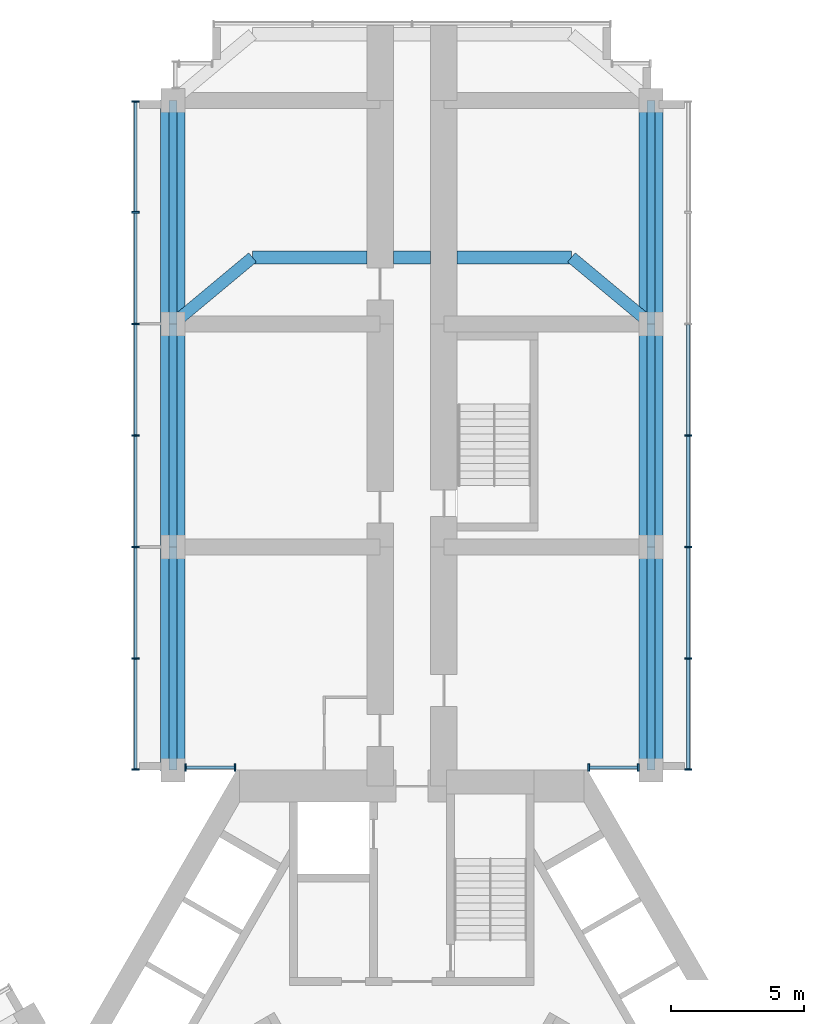
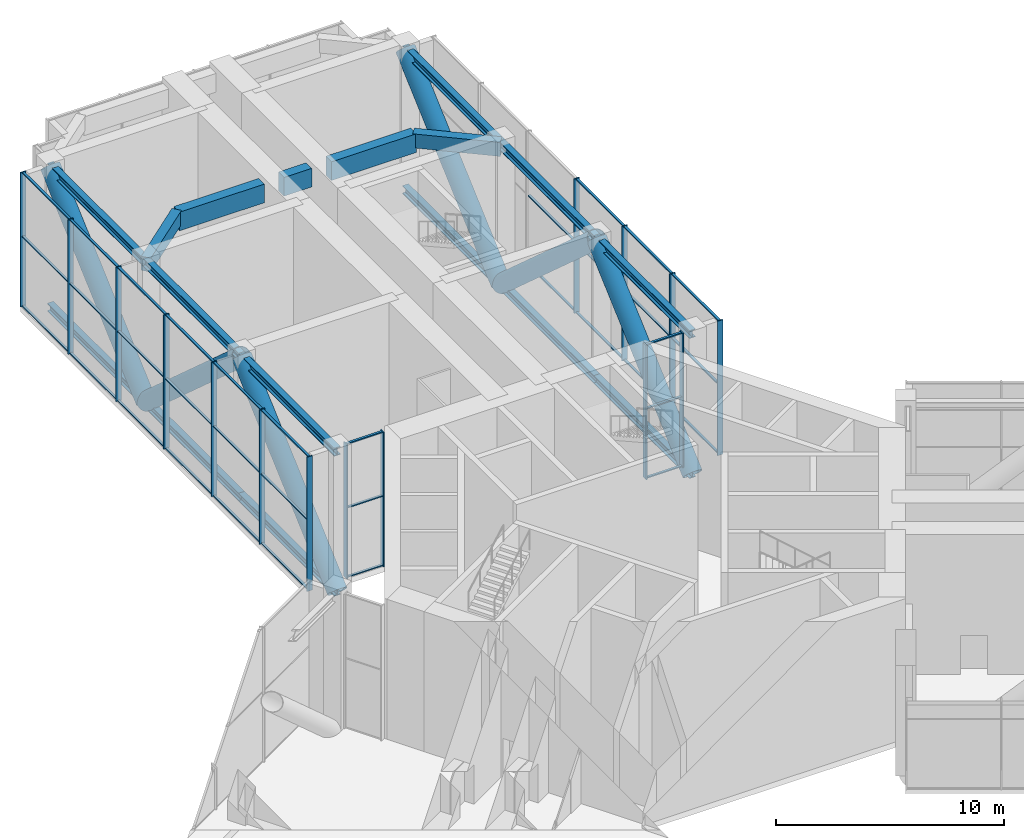
# One storey, part 5 of 16: 68 members, 5 beams, 4 elements without a shape of their own.
"""IFC4 building model written with IfcOpenShell, lengths in metres."""

import ifcopenshell
import ifcopenshell.guid

model = None  # the IFC model being written
_history = None  # IfcOwnerHistory: only IFC2X3 demands one
_inside = {}  # id of a spatial element -> (the spatial element, [elements in it])
_under = {}  # id of a project, library or spatial element -> (it, [spatial elements below it])
_declared = {}  # id of a project -> (the project, [libraries it declares])
_typed = {}  # id of a type object -> (the type object, [elements of that type])
_made_of = {}  # id of a material, layer set ... -> (it, [elements and type objects made of it])


def new_model(schema):
    """Start an empty IFC model of exactly this schema.

    Asked for "IFC4X3", IfcOpenShell would pick the latest addendum, in which some entities
    have other attributes; the version numbers below select the first issue.
    IFC2X3 requires an IfcOwnerHistory on every rooted entity: one is made here for all.
    """
    global model, _history
    if schema == "IFC4X3":
        model = ifcopenshell.file(schema_version=(4, 3, 0, 0))
    else:
        model = ifcopenshell.file(schema=schema)
    _inside.clear()
    _under.clear()
    _declared.clear()
    _typed.clear()
    _made_of.clear()
    _history = None
    if model.schema == "IFC2X3":
        org = make("IfcOrganization", Name="unknown")
        user = make(
            "IfcPersonAndOrganization",
            ThePerson=make("IfcPerson", FamilyName="unknown"),
            TheOrganization=org,
        )
        app = make(
            "IfcApplication",
            ApplicationDeveloper=org,
            Version="unknown",
            ApplicationFullName="unknown",
            ApplicationIdentifier="unknown",
        )
        _history = make(
            "IfcOwnerHistory",
            OwningUser=user,
            OwningApplication=app,
            ChangeAction="ADDED",
            CreationDate=0,
        )
    return model


def make(cls, **values):
    """One entity of the class cls with the attributes given. An attribute that is None is left unset."""
    return model.create_entity(
        cls, **{name: value for name, value in values.items() if value is not None}
    )


def rooted(cls, **values):
    """An entity with a GlobalId (a new one), such as an element, a storey or a relation."""
    return make(cls, GlobalId=ifcopenshell.guid.new(), OwnerHistory=_history, **values)


def si_unit(unit_type, name, prefix=None):
    """IfcSIUnit, for example si_unit("LENGTHUNIT", "METRE", prefix="MILLI")."""
    return make("IfcSIUnit", UnitType=unit_type, Prefix=prefix, Name=name)


def assignment(units):
    """IfcUnitAssignment: the units of a project."""
    return None if units is None else make("IfcUnitAssignment", Units=units)


def point(xyz):
    """IfcCartesianPoint."""
    return None if xyz is None else make("IfcCartesianPoint", Coordinates=xyz)


def direction(xyz):
    """IfcDirection."""
    return None if xyz is None else make("IfcDirection", DirectionRatios=xyz)


def frame(location, z_axis=None, x_axis=None):
    """IfcAxis2Placement3D, a coordinate frame: its origin and axes. An axis left out is left unset."""
    return make(
        "IfcAxis2Placement3D",
        Location=point(location),
        Axis=direction(z_axis),
        RefDirection=direction(x_axis),
    )


def frame_2d(location, x_axis=None):
    """IfcAxis2Placement2D, a coordinate frame in the plane: its origin and x axis."""
    return make(
        "IfcAxis2Placement2D", Location=point(location), RefDirection=direction(x_axis)
    )


def origin():
    """The frame at (0, 0, 0) with its axes left unset."""
    return frame((0.0, 0.0, 0.0))


def origin_2d():
    """The frame at (0, 0) in the plane with its x axis left unset."""
    return frame_2d((0.0, 0.0))


def place(relative_to, where):
    """IfcLocalPlacement: puts the frame where relative to a parent placement (None: the world)."""
    return make(
        "IfcLocalPlacement", PlacementRelTo=relative_to, RelativePlacement=where
    )


def context(
    kind, dimensions, precision=None, world=None, true_north=None, identifier=None
):
    """IfcGeometricRepresentationContext, for example the 3D "Model" context."""
    return make(
        "IfcGeometricRepresentationContext",
        ContextIdentifier=identifier,
        ContextType=kind,
        CoordinateSpaceDimension=dimensions,
        Precision=precision,
        WorldCoordinateSystem=world,
        TrueNorth=true_north,
    )


def subcontext(parent, identifier, kind, view, scale=None):
    """IfcGeometricRepresentationSubContext, for example "Body" below "Model"."""
    return make(
        "IfcGeometricRepresentationSubContext",
        ContextIdentifier=identifier,
        ContextType=kind,
        ParentContext=parent,
        TargetScale=scale,
        TargetView=view,
    )


def project(units=None, contexts=None):
    """IfcProject with its units and contexts."""
    return rooted(
        "IfcProject",
        Name="project",
        RepresentationContexts=contexts,
        UnitsInContext=assignment(units),
    )


def spatial(cls, under=None, at=None, **own):
    """A site, building, storey or space (cls), placed at a placement, below another one or the project."""
    s = rooted(cls, ObjectPlacement=at, **own)
    if under is not None:
        _under.setdefault(under.id(), (under, []))[1].append(s)
    return s


def profile(cls, at=None, kind="AREA", **sizes):
    """A parametric profile (cls). Its sizes go by their IFC names, for example OverallWidth=200.0."""
    return make(cls, ProfileType=kind, Position=at, **sizes)


def rectangle(**sizes):
    """IfcRectangleProfileDef."""
    return profile("IfcRectangleProfileDef", **sizes)


def hollow_circle(**sizes):
    """IfcCircleHollowProfileDef."""
    return profile("IfcCircleHollowProfileDef", **sizes)


def i_section(**sizes):
    """IfcIShapeProfileDef."""
    return profile("IfcIShapeProfileDef", **sizes)


def extrude(swept, where, along, depth):
    """IfcExtrudedAreaSolid: the profile swept, set in the frame where, extruded along a direction by depth."""
    return make(
        "IfcExtrudedAreaSolid",
        SweptArea=swept,
        Position=where,
        ExtrudedDirection=direction(along),
        Depth=depth,
    )


def shape(context_of_items, identifier, shape_type, items):
    """IfcShapeRepresentation: the items that make up one representation, for example the "Body"."""
    return make(
        "IfcShapeRepresentation",
        ContextOfItems=context_of_items,
        RepresentationIdentifier=identifier,
        RepresentationType=shape_type,
        Items=items,
    )


def material(Name=None, Category=None):
    """IfcMaterial."""
    return make("IfcMaterial", Name=Name, Category=Category)


def material_profile(
    of_material, cross_section, Name=None, Category=None, Priority=None
):
    """IfcMaterialProfile: a cross section and its material."""
    return make(
        "IfcMaterialProfile",
        Name=Name,
        Material=of_material,
        Profile=cross_section,
        Priority=Priority,
        Category=Category,
    )


def profile_set(profiles, Name=None, composite=None):
    """IfcMaterialProfileSet."""
    return make(
        "IfcMaterialProfileSet",
        Name=Name,
        MaterialProfiles=profiles,
        CompositeProfile=composite,
    )


def made_of(thing, what):
    """Note that an element or type object is made of a material, layer set ...; save() writes the relation."""
    if what is not None:
        _made_of.setdefault(what.id(), (what, []))[1].append(thing)
    return thing


def type_object(cls, material=None, **own):
    """A type object (cls), such as IfcWallType, which elements share."""
    return made_of(rooted(cls, **own), material)


def element(
    cls,
    number,
    at=None,
    inside=None,
    cuts=None,
    type_object=None,
    material=None,
    context=None,
    identifier="Body",
    shape_type=None,
    held_by="IfcProductDefinitionShape",
    body=None,
    shapes=None,
    **own,
):
    """One element of the class cls, such as IfcWall. Its Tag is "e" and its number.

    at: its placement. inside: the storey or other place that contains it. cuts: it is an
    opening in that element (IfcRelVoidsElement). A single representation is given by context,
    identifier, shape_type and body (its items); several are given by shapes. held_by: the class
    of the entity that holds the representations. save() writes the other relations.
    """
    e = rooted(cls, Tag="e%d" % number, ObjectPlacement=at, **own)
    if body is not None:
        shapes = [shape(context, identifier, shape_type, body)]
    if shapes is not None:
        e.Representation = make(held_by, Representations=shapes)
    if inside is not None:
        _inside.setdefault(inside.id(), (inside, []))[1].append(e)
    if cuts is not None:
        rooted(
            "IfcRelVoidsElement", RelatingBuildingElement=cuts, RelatedOpeningElement=e
        )
    if type_object is not None:
        _typed.setdefault(type_object.id(), (type_object, []))[1].append(e)
    return made_of(e, material)


def aggregate(whole, parts):
    """IfcRelAggregates: a whole, such as a stair, and the parts it consists of."""
    return rooted("IfcRelAggregates", RelatingObject=whole, RelatedObjects=parts)


def save(model, path):
    """Write the relations noted so far, then the file.

    IfcRelAggregates (storeys below a building ...), IfcRelContainedInSpatialStructure (elements
    in a storey), IfcRelDefinesByType, IfcRelAssociatesMaterial and IfcRelDeclares: one each for
    every whole, place, type object, material and project.
    """
    for whole, parts in _under.values():
        aggregate(whole, parts)
    for where, things in _inside.values():
        rooted(
            "IfcRelContainedInSpatialStructure",
            RelatedElements=things,
            RelatingStructure=where,
        )
    for kind, things in _typed.values():
        rooted("IfcRelDefinesByType", RelatedObjects=things, RelatingType=kind)
    for what, things in _made_of.values():
        rooted("IfcRelAssociatesMaterial", RelatedObjects=things, RelatingMaterial=what)
    for by, libraries in _declared.values():
        rooted("IfcRelDeclares", RelatingContext=by, RelatedDefinitions=libraries)
    model.write(path)


model = new_model("IFC4")

# Units and contexts
model_context = context("Model", 3, precision=1e-05, world=origin(), true_north=direction((0.0, 1.0)))
body_context = subcontext(model_context, "Body", "Model", "MODEL_VIEW")
ifc_project = project(units=[si_unit("LENGTHUNIT", "METRE"), si_unit("AREAUNIT", "SQUARE_METRE"), si_unit("VOLUMEUNIT", "CUBIC_METRE"), si_unit("PLANEANGLEUNIT", "RADIAN"), si_unit("MASSUNIT", "GRAM", prefix="KILO")], contexts=[model_context])

# Site, building, storey
site_placement = place(None, origin())
site = spatial("IfcSite", under=ifc_project, at=site_placement, CompositionType="ELEMENT")
building_placement = place(site_placement, origin())
building = spatial("IfcBuilding", under=site, at=building_placement, Name="Impinga Residences", CompositionType="ELEMENT")
storey_placement = place(building_placement, frame((0.0, 0.0, 181.0)))
storey = spatial("IfcBuildingStorey", under=building, at=storey_placement, Name="L45", CompositionType="ELEMENT", Elevation=181.0)

# Members
ifc_material_1 = material(Name="Steel S355", Category="steel")
ifc_material_profile_1 = material_profile(ifc_material_1, i_section(OverallWidth=0.306884765625, OverallDepth=0.431884765625, WebThickness=0.02099609375, FlangeThickness=0.0400390625, FilletRadius=0.027099609375, at=origin_2d()), Name="HE 400 M")
ifc_profile_set_1 = profile_set([ifc_material_profile_1], Name="Steel S355")
member_type_1 = type_object("IfcMemberType", Name="BT1 HE 400 M belt truss chord", PredefinedType="CHORD", material=ifc_profile_set_1)
for number, where, z_axis, x_axis, name in (
    (1, (-9.0, 11.431640625, -0.51611328125), (0.0, 1.0, 0.0), (-1.0, 0.0, 0.0), "Belt truss chord BT1 NA N1-N2 L45"),
    (2, (-9.0, 11.431640625, 6.98388671875), (0.0, 1.0, 0.0), (-1.0, 0.0, 0.0), "Belt truss chord BT1 NA N1-N2 L45"),
    (3, (-9.0, 19.83154296875, -0.51611328125), (0.0, 1.0, 0.0), (-1.0, 0.0, 0.0), "Belt truss chord BT1 NA N2-N3 L45"),
    (4, (-9.0, 19.83154296875, 6.98388671875), (0.0, 1.0, 0.0), (-1.0, 0.0, 0.0), "Belt truss chord BT1 NA N2-N3 L45"),
):
    element("IfcMember", number, at=place(storey_placement, frame(where, z_axis=z_axis, x_axis=x_axis)), inside=storey, type_object=member_type_1, Name=name, PredefinedType="CHORD", context=body_context, shape_type="SweptSolid", body=[
        extrude(i_section(OverallWidth=0.306884765625, OverallDepth=0.431884765625, WebThickness=0.02099609375, FlangeThickness=0.0400390625, FilletRadius=0.027099609375, at=origin_2d()), origin(), (0.0, 0.0, 1.0), 8.39990234375),
    ])
for number, where, z_axis, x_axis, name in (
    (5, (-9.0, 28.2314453125, -0.51611328125), (0.0, 1.0, 0.0), (-1.0, 0.0, 0.0), "Belt truss chord BT1 NA N3-N4 L45"),
    (6, (-9.0, 28.2314453125, 6.98388671875), (0.0, 1.0, 0.0), (-1.0, 0.0, 0.0), "Belt truss chord BT1 NA N3-N4 L45"),
):
    element("IfcMember", number, at=place(storey_placement, frame(where, z_axis=z_axis, x_axis=x_axis)), inside=storey, type_object=member_type_1, Name=name, PredefinedType="CHORD", context=body_context, shape_type="SweptSolid", body=[
        extrude(i_section(OverallWidth=0.306884765625, OverallDepth=0.431884765625, WebThickness=0.02099609375, FlangeThickness=0.0400390625, FilletRadius=0.027099609375, at=origin_2d()), origin(), (0.0, 0.0, 1.0), 8.400146484375),
    ])
for number, where, z_axis, x_axis, name in (
    (7, (9.0, 11.431640625, -0.51611328125), (0.0, 1.0, 0.0), (-1.0, 0.0, 0.0), "Belt truss chord BT1 NF N1-N2 L45"),
    (8, (9.0, 11.431640625, 6.98388671875), (0.0, 1.0, 0.0), (-1.0, 0.0, 0.0), "Belt truss chord BT1 NF N1-N2 L45"),
    (9, (9.0, 19.83154296875, -0.51611328125), (0.0, 1.0, 0.0), (-1.0, 0.0, 0.0), "Belt truss chord BT1 NF N2-N3 L45"),
    (10, (9.0, 19.83154296875, 6.98388671875), (0.0, 1.0, 0.0), (-1.0, 0.0, 0.0), "Belt truss chord BT1 NF N2-N3 L45"),
):
    element("IfcMember", number, at=place(storey_placement, frame(where, z_axis=z_axis, x_axis=x_axis)), inside=storey, type_object=member_type_1, Name=name, PredefinedType="CHORD", context=body_context, shape_type="SweptSolid", body=[
        extrude(i_section(OverallWidth=0.306884765625, OverallDepth=0.431884765625, WebThickness=0.02099609375, FlangeThickness=0.0400390625, FilletRadius=0.027099609375, at=origin_2d()), origin(), (0.0, 0.0, 1.0), 8.39990234375),
    ])
for number, where, z_axis, x_axis, name in (
    (11, (9.0, 28.2314453125, -0.51611328125), (0.0, 1.0, 0.0), (-1.0, 0.0, 0.0), "Belt truss chord BT1 NF N3-N4 L45"),
    (12, (9.0, 28.2314453125, 6.98388671875), (0.0, 1.0, 0.0), (-1.0, 0.0, 0.0), "Belt truss chord BT1 NF N3-N4 L45"),
):
    element("IfcMember", number, at=place(storey_placement, frame(where, z_axis=z_axis, x_axis=x_axis)), inside=storey, type_object=member_type_1, Name=name, PredefinedType="CHORD", context=body_context, shape_type="SweptSolid", body=[
        extrude(i_section(OverallWidth=0.306884765625, OverallDepth=0.431884765625, WebThickness=0.02099609375, FlangeThickness=0.0400390625, FilletRadius=0.027099609375, at=origin_2d()), origin(), (0.0, 0.0, 1.0), 8.400146484375),
    ])
ifc_material_2 = material(Name="Steel S355J2H", Category="steel")
ifc_material_profile_2 = material_profile(ifc_material_2, hollow_circle(Radius=0.457275390625, WallThickness=0.02490234375, at=origin_2d()), Name="CHS 914.4x25")
ifc_profile_set_2 = profile_set([ifc_material_profile_2], Name="Steel S355J2H")
member_type_2 = type_object("IfcMemberType", Name="BT3 CHS 914.4x25 belt truss diagonal at L45", PredefinedType="BRACE", material=ifc_profile_set_2)
for number, where, z_axis, x_axis, name in (
    (13, (-9.0, 11.431640625, -0.51611328125), (0.0, 0.745933814853, 0.666020077669), (-1.0, 0.0, 0.0), "Belt truss diagonal BT3 NA N1-N2 L45"),
    (14, (-9.0, 19.83154296875, 6.98388671875), (0.0, 0.745933814853, -0.666020077669), (-1.0, 0.0, 0.0), "Belt truss diagonal BT3 NA N2-N3 L45"),
    (15, (-9.0, 28.2314453125, -0.51611328125), (0.0, 0.745943431645, 0.666009306831), (-1.0, 0.0, 0.0), "Belt truss diagonal BT3 NA N3-N4 L45"),
    (16, (9.0, 11.431640625, -0.51611328125), (0.0, 0.745933814853, 0.666020077669), (-1.0, 0.0, 0.0), "Belt truss diagonal BT3 NF N1-N2 L45"),
    (17, (9.0, 19.83154296875, 6.98388671875), (0.0, 0.745933814853, -0.666020077669), (-1.0, 0.0, 0.0), "Belt truss diagonal BT3 NF N2-N3 L45"),
    (18, (9.0, 28.2314453125, -0.51611328125), (0.0, 0.745943431645, 0.666009306831), (-1.0, 0.0, 0.0), "Belt truss diagonal BT3 NF N3-N4 L45"),
):
    element("IfcMember", number, at=place(storey_placement, frame(where, z_axis=z_axis, x_axis=x_axis)), inside=storey, type_object=member_type_2, Name=name, PredefinedType="BRACE", context=body_context, shape_type="SweptSolid", body=[
        extrude(hollow_circle(Radius=0.457275390625, WallThickness=0.02490234375, at=origin_2d()), origin(), (0.0, 0.0, 1.0), 11.260986328125),
    ])

# Beams
ifc_material_3 = material(Name="Concrete C60/75", Category="concrete")
ifc_material_profile_3 = material_profile(ifc_material_3, rectangle(XDim=0.449951171875, YDim=0.75, at=origin_2d()), Name="RC 450x750")
ifc_profile_set_3 = profile_set([ifc_material_profile_3], Name="Concrete C60/75")
beam_type_1 = type_object("IfcBeamType", Name="CB1 450x750 wing end cantilever beam", PredefinedType="BEAM", material=ifc_profile_set_3)
for number, where, z_axis, x_axis, name in (
    (19, (-9.0, 28.2314453125, 6.824951171875), (0.768221279597, 0.640184399664, 0.0), (-0.640184399664, 0.768221279597, 0.0), "Beam CB1 NB N3-NX level L46"),
    (20, (9.0, 28.2314453125, 6.824951171875), (-0.768221279597, 0.640184399664, 0.0), (-0.640184399664, -0.768221279597, 0.0), "Beam CB1 NE N3-NX level L46"),
):
    element("IfcBeam", number, at=place(storey_placement, frame(where, z_axis=z_axis, x_axis=x_axis)), inside=storey, type_object=beam_type_1, Name=name, PredefinedType="BEAM", context=body_context, shape_type="SweptSolid", body=[
        extrude(rectangle(XDim=0.449951171875, YDim=0.75, at=origin_2d()), origin(), (0.0, 0.0, 1.0), 3.905029296875),
    ])

# Curtain wall, members
ifc_material_4 = material(Name="Aluminium stick curtain wall", Category="aluminium")
curtain_wall_type = type_object("IfcCurtainWallType", Name="CW4 plant floor louvred curtain wall", PredefinedType="USERDEFINED", material=ifc_material_4)
curtain_wall_1_placement = place(storey_placement, origin())
curtain_wall_1 = element("IfcCurtainWall", 21, at=curtain_wall_1_placement, inside=storey, type_object=curtain_wall_type, Name="Curtain wall CW4 L45", ObjectType="STICK CURTAIN WALL", PredefinedType="USERDEFINED")
ifc_material_5 = material(Name="Aluminium mullion", Category="aluminium")
ifc_material_profile_4 = material_profile(ifc_material_5, rectangle(XDim=0.06005859375, YDim=0.27490234375, at=origin_2d()), Name="60x275 mullion")
ifc_profile_set_4 = profile_set([ifc_material_profile_4], Name="Aluminium mullion")
member_type_3 = type_object("IfcMemberType", Name="CW4-M mullion 60x275", PredefinedType="MULLION", material=ifc_profile_set_4)
member_1_placement = place(storey_placement, frame((-6.6552734375, 11.531494140625, 0.0), z_axis=(0.0, 0.0, 1.0), x_axis=(-1.0, 0.0, 0.0)))
member_1 = element("IfcMember", 22, at=member_1_placement, type_object=member_type_3, Name="CW4 mullion 1", PredefinedType="MULLION", context=body_context, shape_type="SweptSolid", body=[
    extrude(rectangle(XDim=0.06005859375, YDim=0.27490234375, at=origin_2d()), origin(), (0.0, 0.0, 1.0), 7.199951171875),
])
member_2_placement = place(storey_placement, frame((-8.51708984375, 11.531494140625, 0.0), z_axis=(0.0, 0.0, 1.0), x_axis=(-1.0, 0.0, 0.0)))
member_2 = element("IfcMember", 23, at=member_2_placement, type_object=member_type_3, Name="CW4 mullion 2", PredefinedType="MULLION", context=body_context, shape_type="SweptSolid", body=[
    extrude(rectangle(XDim=0.06005859375, YDim=0.27490234375, at=origin_2d()), origin(), (0.0, 0.0, 1.0), 7.199951171875),
])

curtain_wall_2_placement = place(storey_placement, origin())
curtain_wall_2 = element("IfcCurtainWall", 24, at=curtain_wall_2_placement, inside=storey, type_object=curtain_wall_type, Name="Curtain wall CW4 L45", ObjectType="STICK CURTAIN WALL", PredefinedType="USERDEFINED")
member_3_placement = place(storey_placement, frame((-10.39990234375, 11.46142578125, 0.0), z_axis=(0.0, 0.0, 1.0), x_axis=(0.0, 1.0, 0.0)))
member_3 = element("IfcMember", 25, at=member_3_placement, type_object=member_type_3, Name="CW4 mullion 1", PredefinedType="MULLION", context=body_context, shape_type="SweptSolid", body=[
    extrude(rectangle(XDim=0.06005859375, YDim=0.27490234375, at=origin_2d()), origin(), (0.0, 0.0, 1.0), 7.199951171875),
])
member_4_placement = place(storey_placement, frame((-10.39990234375, 15.631591796875, 0.0), z_axis=(0.0, 0.0, 1.0), x_axis=(0.0, 1.0, 0.0)))
member_4 = element("IfcMember", 26, at=member_4_placement, type_object=member_type_3, Name="CW4 mullion 2", PredefinedType="MULLION", context=body_context, shape_type="SweptSolid", body=[
    extrude(rectangle(XDim=0.06005859375, YDim=0.27490234375, at=origin_2d()), origin(), (0.0, 0.0, 1.0), 7.199951171875),
])
member_5_placement = place(storey_placement, frame((-10.39990234375, 19.83154296875, 0.0), z_axis=(0.0, 0.0, 1.0), x_axis=(0.0, 1.0, 0.0)))
member_5 = element("IfcMember", 27, at=member_5_placement, type_object=member_type_3, Name="CW4 mullion 3", PredefinedType="MULLION", context=body_context, shape_type="SweptSolid", body=[
    extrude(rectangle(XDim=0.06005859375, YDim=0.27490234375, at=origin_2d()), origin(), (0.0, 0.0, 1.0), 7.199951171875),
])
member_6_placement = place(storey_placement, frame((-10.39990234375, 24.031494140625, 0.0), z_axis=(0.0, 0.0, 1.0), x_axis=(0.0, 1.0, 0.0)))
member_6 = element("IfcMember", 28, at=member_6_placement, type_object=member_type_3, Name="CW4 mullion 4", PredefinedType="MULLION", context=body_context, shape_type="SweptSolid", body=[
    extrude(rectangle(XDim=0.06005859375, YDim=0.27490234375, at=origin_2d()), origin(), (0.0, 0.0, 1.0), 7.199951171875),
])
member_7_placement = place(storey_placement, frame((-10.39990234375, 28.2314453125, 0.0), z_axis=(0.0, 0.0, 1.0), x_axis=(0.0, 1.0, 0.0)))
member_7 = element("IfcMember", 29, at=member_7_placement, type_object=member_type_3, Name="CW4 mullion 5", PredefinedType="MULLION", context=body_context, shape_type="SweptSolid", body=[
    extrude(rectangle(XDim=0.06005859375, YDim=0.27490234375, at=origin_2d()), origin(), (0.0, 0.0, 1.0), 7.199951171875),
])
member_8_placement = place(storey_placement, frame((-10.39990234375, 32.431640625, 0.0), z_axis=(0.0, 0.0, 1.0), x_axis=(0.0, 1.0, 0.0)))
member_8 = element("IfcMember", 30, at=member_8_placement, type_object=member_type_3, Name="CW4 mullion 6", PredefinedType="MULLION", context=body_context, shape_type="SweptSolid", body=[
    extrude(rectangle(XDim=0.06005859375, YDim=0.27490234375, at=origin_2d()), origin(), (0.0, 0.0, 1.0), 7.199951171875),
])
member_9_placement = place(storey_placement, frame((-10.39990234375, 36.6015625, 0.0), z_axis=(0.0, 0.0, 1.0), x_axis=(0.0, 1.0, 0.0)))
member_9 = element("IfcMember", 31, at=member_9_placement, type_object=member_type_3, Name="CW4 mullion 7", PredefinedType="MULLION", context=body_context, shape_type="SweptSolid", body=[
    extrude(rectangle(XDim=0.06005859375, YDim=0.27490234375, at=origin_2d()), origin(), (0.0, 0.0, 1.0), 7.199951171875),
])

curtain_wall_3_placement = place(storey_placement, origin())
curtain_wall_3 = element("IfcCurtainWall", 32, at=curtain_wall_3_placement, inside=storey, type_object=curtain_wall_type, Name="Curtain wall CW4 L45", ObjectType="STICK CURTAIN WALL", PredefinedType="USERDEFINED")
member_10_placement = place(storey_placement, frame((10.39990234375, 24.031494140625, 0.0), z_axis=(0.0, 0.0, 1.0), x_axis=(0.0, -1.0, 0.0)))
member_10 = element("IfcMember", 33, at=member_10_placement, type_object=member_type_3, Name="CW4 mullion 4", PredefinedType="MULLION", context=body_context, shape_type="SweptSolid", body=[
    extrude(rectangle(XDim=0.06005859375, YDim=0.27490234375, at=origin_2d()), origin(), (0.0, 0.0, 1.0), 7.199951171875),
])
member_11_placement = place(storey_placement, frame((10.39990234375, 19.83154296875, 0.0), z_axis=(0.0, 0.0, 1.0), x_axis=(0.0, -1.0, 0.0)))
member_11 = element("IfcMember", 34, at=member_11_placement, type_object=member_type_3, Name="CW4 mullion 5", PredefinedType="MULLION", context=body_context, shape_type="SweptSolid", body=[
    extrude(rectangle(XDim=0.06005859375, YDim=0.27490234375, at=origin_2d()), origin(), (0.0, 0.0, 1.0), 7.199951171875),
])
member_12_placement = place(storey_placement, frame((10.39990234375, 15.631591796875, 0.0), z_axis=(0.0, 0.0, 1.0), x_axis=(0.0, -1.0, 0.0)))
member_12 = element("IfcMember", 35, at=member_12_placement, type_object=member_type_3, Name="CW4 mullion 6", PredefinedType="MULLION", context=body_context, shape_type="SweptSolid", body=[
    extrude(rectangle(XDim=0.06005859375, YDim=0.27490234375, at=origin_2d()), origin(), (0.0, 0.0, 1.0), 7.199951171875),
])
member_13_placement = place(storey_placement, frame((10.39990234375, 11.46142578125, 0.0), z_axis=(0.0, 0.0, 1.0), x_axis=(0.0, -1.0, 0.0)))
member_13 = element("IfcMember", 36, at=member_13_placement, type_object=member_type_3, Name="CW4 mullion 7", PredefinedType="MULLION", context=body_context, shape_type="SweptSolid", body=[
    extrude(rectangle(XDim=0.06005859375, YDim=0.27490234375, at=origin_2d()), origin(), (0.0, 0.0, 1.0), 7.199951171875),
])

curtain_wall_4_placement = place(storey_placement, origin())
curtain_wall_4 = element("IfcCurtainWall", 37, at=curtain_wall_4_placement, inside=storey, type_object=curtain_wall_type, Name="Curtain wall CW4 L45", ObjectType="STICK CURTAIN WALL", PredefinedType="USERDEFINED")
member_14_placement = place(storey_placement, frame((8.51708984375, 11.531494140625, 0.0), z_axis=(0.0, 0.0, 1.0), x_axis=(-1.0, 0.0, 0.0)))
member_14 = element("IfcMember", 38, at=member_14_placement, type_object=member_type_3, Name="CW4 mullion 1", PredefinedType="MULLION", context=body_context, shape_type="SweptSolid", body=[
    extrude(rectangle(XDim=0.06005859375, YDim=0.27490234375, at=origin_2d()), origin(), (0.0, 0.0, 1.0), 7.199951171875),
])
member_15_placement = place(storey_placement, frame((6.6552734375, 11.531494140625, 0.0), z_axis=(0.0, 0.0, 1.0), x_axis=(-1.0, 0.0, 0.0)))
member_15 = element("IfcMember", 39, at=member_15_placement, type_object=member_type_3, Name="CW4 mullion 2", PredefinedType="MULLION", context=body_context, shape_type="SweptSolid", body=[
    extrude(rectangle(XDim=0.06005859375, YDim=0.27490234375, at=origin_2d()), origin(), (0.0, 0.0, 1.0), 7.199951171875),
])

# Member
ifc_material_6 = material(Name="Aluminium transom", Category="aluminium")
ifc_material_profile_5 = material_profile(ifc_material_6, rectangle(XDim=0.06005859375, YDim=0.1201171875, at=origin_2d()), Name="60x120 transom")
ifc_profile_set_5 = profile_set([ifc_material_profile_5], Name="Aluminium transom")
member_type_4 = type_object("IfcMemberType", Name="CW4-T transom 60x120", PredefinedType="USERDEFINED", material=ifc_profile_set_5)
member_16_placement = place(storey_placement, frame((-6.685302734375, 11.531494140625, 0.030029296875), z_axis=(-1.0, 0.0, 0.0), x_axis=(0.0, 0.0, 1.0)))
member_16 = element("IfcMember", 40, at=member_16_placement, type_object=member_type_4, Name="CW4 transom 1.1", ObjectType="TRANSOM", PredefinedType="USERDEFINED", context=body_context, shape_type="SweptSolid", body=[
    extrude(rectangle(XDim=0.06005859375, YDim=0.1201171875, at=origin_2d()), origin(), (0.0, 0.0, 1.0), 1.8017578125),
])

member_17_placement = place(storey_placement, frame((-6.685302734375, 11.531494140625, 3.75), z_axis=(-1.0, 0.0, 0.0), x_axis=(0.0, 0.0, 1.0)))
member_17 = element("IfcMember", 41, at=member_17_placement, type_object=member_type_4, Name="CW4 transom 1.2", ObjectType="TRANSOM", PredefinedType="USERDEFINED", context=body_context, shape_type="SweptSolid", body=[
    extrude(rectangle(XDim=0.06005859375, YDim=0.1201171875, at=origin_2d()), origin(), (0.0, 0.0, 1.0), 1.8017578125),
])

member_18_placement = place(storey_placement, frame((-6.685302734375, 11.531494140625, 7.169921875), z_axis=(-1.0, 0.0, 0.0), x_axis=(0.0, 0.0, 1.0)))
member_18 = element("IfcMember", 42, at=member_18_placement, type_object=member_type_4, Name="CW4 transom 1.3", ObjectType="TRANSOM", PredefinedType="USERDEFINED", context=body_context, shape_type="SweptSolid", body=[
    extrude(rectangle(XDim=0.06005859375, YDim=0.1201171875, at=origin_2d()), origin(), (0.0, 0.0, 1.0), 1.8017578125),
])

aggregate(curtain_wall_1, [member_1, member_2, member_16, member_17, member_18])

member_19_placement = place(storey_placement, frame((-10.39990234375, 11.491455078125, 0.030029296875), z_axis=(0.0, 1.0, 0.0), x_axis=(0.0, 0.0, 1.0)))
member_19 = element("IfcMember", 43, at=member_19_placement, type_object=member_type_4, Name="CW4 transom 1.1", ObjectType="TRANSOM", PredefinedType="USERDEFINED", context=body_context, shape_type="SweptSolid", body=[
    extrude(rectangle(XDim=0.06005859375, YDim=0.1201171875, at=origin_2d()), origin(), (0.0, 0.0, 1.0), 4.110107421875),
])

member_20_placement = place(storey_placement, frame((-10.39990234375, 11.491455078125, 3.75), z_axis=(0.0, 1.0, 0.0), x_axis=(0.0, 0.0, 1.0)))
member_20 = element("IfcMember", 44, at=member_20_placement, type_object=member_type_4, Name="CW4 transom 1.2", ObjectType="TRANSOM", PredefinedType="USERDEFINED", context=body_context, shape_type="SweptSolid", body=[
    extrude(rectangle(XDim=0.06005859375, YDim=0.1201171875, at=origin_2d()), origin(), (0.0, 0.0, 1.0), 4.110107421875),
])

member_21_placement = place(storey_placement, frame((-10.39990234375, 11.491455078125, 7.169921875), z_axis=(0.0, 1.0, 0.0), x_axis=(0.0, 0.0, 1.0)))
member_21 = element("IfcMember", 45, at=member_21_placement, type_object=member_type_4, Name="CW4 transom 1.3", ObjectType="TRANSOM", PredefinedType="USERDEFINED", context=body_context, shape_type="SweptSolid", body=[
    extrude(rectangle(XDim=0.06005859375, YDim=0.1201171875, at=origin_2d()), origin(), (0.0, 0.0, 1.0), 4.110107421875),
])

member_22_placement = place(storey_placement, frame((-10.39990234375, 15.66162109375, 0.030029296875), z_axis=(0.0, 1.0, 0.0), x_axis=(0.0, 0.0, 1.0)))
member_22 = element("IfcMember", 46, at=member_22_placement, type_object=member_type_4, Name="CW4 transom 2.1", ObjectType="TRANSOM", PredefinedType="USERDEFINED", context=body_context, shape_type="SweptSolid", body=[
    extrude(rectangle(XDim=0.06005859375, YDim=0.1201171875, at=origin_2d()), origin(), (0.0, 0.0, 1.0), 4.139892578125),
])

member_23_placement = place(storey_placement, frame((-10.39990234375, 15.66162109375, 3.75), z_axis=(0.0, 1.0, 0.0), x_axis=(0.0, 0.0, 1.0)))
member_23 = element("IfcMember", 47, at=member_23_placement, type_object=member_type_4, Name="CW4 transom 2.2", ObjectType="TRANSOM", PredefinedType="USERDEFINED", context=body_context, shape_type="SweptSolid", body=[
    extrude(rectangle(XDim=0.06005859375, YDim=0.1201171875, at=origin_2d()), origin(), (0.0, 0.0, 1.0), 4.139892578125),
])

member_24_placement = place(storey_placement, frame((-10.39990234375, 15.66162109375, 7.169921875), z_axis=(0.0, 1.0, 0.0), x_axis=(0.0, 0.0, 1.0)))
member_24 = element("IfcMember", 48, at=member_24_placement, type_object=member_type_4, Name="CW4 transom 2.3", ObjectType="TRANSOM", PredefinedType="USERDEFINED", context=body_context, shape_type="SweptSolid", body=[
    extrude(rectangle(XDim=0.06005859375, YDim=0.1201171875, at=origin_2d()), origin(), (0.0, 0.0, 1.0), 4.139892578125),
])

member_25_placement = place(storey_placement, frame((-10.39990234375, 19.861572265625, 0.030029296875), z_axis=(0.0, 1.0, 0.0), x_axis=(0.0, 0.0, 1.0)))
member_25 = element("IfcMember", 49, at=member_25_placement, type_object=member_type_4, Name="CW4 transom 3.1", ObjectType="TRANSOM", PredefinedType="USERDEFINED", context=body_context, shape_type="SweptSolid", body=[
    extrude(rectangle(XDim=0.06005859375, YDim=0.1201171875, at=origin_2d()), origin(), (0.0, 0.0, 1.0), 4.139892578125),
])

member_26_placement = place(storey_placement, frame((-10.39990234375, 19.861572265625, 3.75), z_axis=(0.0, 1.0, 0.0), x_axis=(0.0, 0.0, 1.0)))
member_26 = element("IfcMember", 50, at=member_26_placement, type_object=member_type_4, Name="CW4 transom 3.2", ObjectType="TRANSOM", PredefinedType="USERDEFINED", context=body_context, shape_type="SweptSolid", body=[
    extrude(rectangle(XDim=0.06005859375, YDim=0.1201171875, at=origin_2d()), origin(), (0.0, 0.0, 1.0), 4.139892578125),
])

member_27_placement = place(storey_placement, frame((-10.39990234375, 19.861572265625, 7.169921875), z_axis=(0.0, 1.0, 0.0), x_axis=(0.0, 0.0, 1.0)))
member_27 = element("IfcMember", 51, at=member_27_placement, type_object=member_type_4, Name="CW4 transom 3.3", ObjectType="TRANSOM", PredefinedType="USERDEFINED", context=body_context, shape_type="SweptSolid", body=[
    extrude(rectangle(XDim=0.06005859375, YDim=0.1201171875, at=origin_2d()), origin(), (0.0, 0.0, 1.0), 4.139892578125),
])

member_28_placement = place(storey_placement, frame((-10.39990234375, 24.0615234375, 0.030029296875), z_axis=(0.0, 1.0, 0.0), x_axis=(0.0, 0.0, 1.0)))
member_28 = element("IfcMember", 52, at=member_28_placement, type_object=member_type_4, Name="CW4 transom 4.1", ObjectType="TRANSOM", PredefinedType="USERDEFINED", context=body_context, shape_type="SweptSolid", body=[
    extrude(rectangle(XDim=0.06005859375, YDim=0.1201171875, at=origin_2d()), origin(), (0.0, 0.0, 1.0), 4.139892578125),
])

member_29_placement = place(storey_placement, frame((-10.39990234375, 24.0615234375, 3.75), z_axis=(0.0, 1.0, 0.0), x_axis=(0.0, 0.0, 1.0)))
member_29 = element("IfcMember", 53, at=member_29_placement, type_object=member_type_4, Name="CW4 transom 4.2", ObjectType="TRANSOM", PredefinedType="USERDEFINED", context=body_context, shape_type="SweptSolid", body=[
    extrude(rectangle(XDim=0.06005859375, YDim=0.1201171875, at=origin_2d()), origin(), (0.0, 0.0, 1.0), 4.139892578125),
])

member_30_placement = place(storey_placement, frame((-10.39990234375, 24.0615234375, 7.169921875), z_axis=(0.0, 1.0, 0.0), x_axis=(0.0, 0.0, 1.0)))
member_30 = element("IfcMember", 54, at=member_30_placement, type_object=member_type_4, Name="CW4 transom 4.3", ObjectType="TRANSOM", PredefinedType="USERDEFINED", context=body_context, shape_type="SweptSolid", body=[
    extrude(rectangle(XDim=0.06005859375, YDim=0.1201171875, at=origin_2d()), origin(), (0.0, 0.0, 1.0), 4.139892578125),
])

member_31_placement = place(storey_placement, frame((-10.39990234375, 28.261474609375, 0.030029296875), z_axis=(0.0, 1.0, 0.0), x_axis=(0.0, 0.0, 1.0)))
member_31 = element("IfcMember", 55, at=member_31_placement, type_object=member_type_4, Name="CW4 transom 5.1", ObjectType="TRANSOM", PredefinedType="USERDEFINED", context=body_context, shape_type="SweptSolid", body=[
    extrude(rectangle(XDim=0.06005859375, YDim=0.1201171875, at=origin_2d()), origin(), (0.0, 0.0, 1.0), 4.14013671875),
])

member_32_placement = place(storey_placement, frame((-10.39990234375, 28.261474609375, 3.75), z_axis=(0.0, 1.0, 0.0), x_axis=(0.0, 0.0, 1.0)))
member_32 = element("IfcMember", 56, at=member_32_placement, type_object=member_type_4, Name="CW4 transom 5.2", ObjectType="TRANSOM", PredefinedType="USERDEFINED", context=body_context, shape_type="SweptSolid", body=[
    extrude(rectangle(XDim=0.06005859375, YDim=0.1201171875, at=origin_2d()), origin(), (0.0, 0.0, 1.0), 4.14013671875),
])

member_33_placement = place(storey_placement, frame((-10.39990234375, 28.261474609375, 7.169921875), z_axis=(0.0, 1.0, 0.0), x_axis=(0.0, 0.0, 1.0)))
member_33 = element("IfcMember", 57, at=member_33_placement, type_object=member_type_4, Name="CW4 transom 5.3", ObjectType="TRANSOM", PredefinedType="USERDEFINED", context=body_context, shape_type="SweptSolid", body=[
    extrude(rectangle(XDim=0.06005859375, YDim=0.1201171875, at=origin_2d()), origin(), (0.0, 0.0, 1.0), 4.14013671875),
])

member_34_placement = place(storey_placement, frame((-10.39990234375, 32.46142578125, 0.030029296875), z_axis=(0.0, 1.0, 0.0), x_axis=(0.0, 0.0, 1.0)))
member_34 = element("IfcMember", 58, at=member_34_placement, type_object=member_type_4, Name="CW4 transom 6.1", ObjectType="TRANSOM", PredefinedType="USERDEFINED", context=body_context, shape_type="SweptSolid", body=[
    extrude(rectangle(XDim=0.06005859375, YDim=0.1201171875, at=origin_2d()), origin(), (0.0, 0.0, 1.0), 4.110107421875),
])

member_35_placement = place(storey_placement, frame((-10.39990234375, 32.46142578125, 3.75), z_axis=(0.0, 1.0, 0.0), x_axis=(0.0, 0.0, 1.0)))
member_35 = element("IfcMember", 59, at=member_35_placement, type_object=member_type_4, Name="CW4 transom 6.2", ObjectType="TRANSOM", PredefinedType="USERDEFINED", context=body_context, shape_type="SweptSolid", body=[
    extrude(rectangle(XDim=0.06005859375, YDim=0.1201171875, at=origin_2d()), origin(), (0.0, 0.0, 1.0), 4.110107421875),
])

member_36_placement = place(storey_placement, frame((-10.39990234375, 32.46142578125, 7.169921875), z_axis=(0.0, 1.0, 0.0), x_axis=(0.0, 0.0, 1.0)))
member_36 = element("IfcMember", 60, at=member_36_placement, type_object=member_type_4, Name="CW4 transom 6.3", ObjectType="TRANSOM", PredefinedType="USERDEFINED", context=body_context, shape_type="SweptSolid", body=[
    extrude(rectangle(XDim=0.06005859375, YDim=0.1201171875, at=origin_2d()), origin(), (0.0, 0.0, 1.0), 4.110107421875),
])

aggregate(curtain_wall_2, [member_3, member_4, member_5, member_6, member_7, member_8, member_9, member_19, member_20, member_21, member_22, member_23, member_24, member_25, member_26, member_27, member_28, member_29, member_30, member_31, member_32, member_33, member_34, member_35, member_36])

member_37_placement = place(storey_placement, frame((10.39990234375, 28.201416015625, 0.030029296875), z_axis=(0.0, -1.0, 0.0), x_axis=(0.0, 0.0, 1.0)))
member_37 = element("IfcMember", 61, at=member_37_placement, type_object=member_type_4, Name="CW4 transom 3.1", ObjectType="TRANSOM", PredefinedType="USERDEFINED", context=body_context, shape_type="SweptSolid", body=[
    extrude(rectangle(XDim=0.06005859375, YDim=0.1201171875, at=origin_2d()), origin(), (0.0, 0.0, 1.0), 4.139892578125),
])

member_38_placement = place(storey_placement, frame((10.39990234375, 28.201416015625, 3.75), z_axis=(0.0, -1.0, 0.0), x_axis=(0.0, 0.0, 1.0)))
member_38 = element("IfcMember", 62, at=member_38_placement, type_object=member_type_4, Name="CW4 transom 3.2", ObjectType="TRANSOM", PredefinedType="USERDEFINED", context=body_context, shape_type="SweptSolid", body=[
    extrude(rectangle(XDim=0.06005859375, YDim=0.1201171875, at=origin_2d()), origin(), (0.0, 0.0, 1.0), 4.139892578125),
])

member_39_placement = place(storey_placement, frame((10.39990234375, 24.00146484375, 0.030029296875), z_axis=(0.0, -1.0, 0.0), x_axis=(0.0, 0.0, 1.0)))
member_39 = element("IfcMember", 63, at=member_39_placement, type_object=member_type_4, Name="CW4 transom 4.1", ObjectType="TRANSOM", PredefinedType="USERDEFINED", context=body_context, shape_type="SweptSolid", body=[
    extrude(rectangle(XDim=0.06005859375, YDim=0.1201171875, at=origin_2d()), origin(), (0.0, 0.0, 1.0), 4.139892578125),
])

member_40_placement = place(storey_placement, frame((10.39990234375, 24.00146484375, 3.75), z_axis=(0.0, -1.0, 0.0), x_axis=(0.0, 0.0, 1.0)))
member_40 = element("IfcMember", 64, at=member_40_placement, type_object=member_type_4, Name="CW4 transom 4.2", ObjectType="TRANSOM", PredefinedType="USERDEFINED", context=body_context, shape_type="SweptSolid", body=[
    extrude(rectangle(XDim=0.06005859375, YDim=0.1201171875, at=origin_2d()), origin(), (0.0, 0.0, 1.0), 4.139892578125),
])

member_41_placement = place(storey_placement, frame((10.39990234375, 24.00146484375, 7.169921875), z_axis=(0.0, -1.0, 0.0), x_axis=(0.0, 0.0, 1.0)))
member_41 = element("IfcMember", 65, at=member_41_placement, type_object=member_type_4, Name="CW4 transom 4.3", ObjectType="TRANSOM", PredefinedType="USERDEFINED", context=body_context, shape_type="SweptSolid", body=[
    extrude(rectangle(XDim=0.06005859375, YDim=0.1201171875, at=origin_2d()), origin(), (0.0, 0.0, 1.0), 4.139892578125),
])

member_42_placement = place(storey_placement, frame((10.39990234375, 19.801513671875, 0.030029296875), z_axis=(0.0, -1.0, 0.0), x_axis=(0.0, 0.0, 1.0)))
member_42 = element("IfcMember", 66, at=member_42_placement, type_object=member_type_4, Name="CW4 transom 5.1", ObjectType="TRANSOM", PredefinedType="USERDEFINED", context=body_context, shape_type="SweptSolid", body=[
    extrude(rectangle(XDim=0.06005859375, YDim=0.1201171875, at=origin_2d()), origin(), (0.0, 0.0, 1.0), 4.139892578125),
])

member_43_placement = place(storey_placement, frame((10.39990234375, 19.801513671875, 3.75), z_axis=(0.0, -1.0, 0.0), x_axis=(0.0, 0.0, 1.0)))
member_43 = element("IfcMember", 67, at=member_43_placement, type_object=member_type_4, Name="CW4 transom 5.2", ObjectType="TRANSOM", PredefinedType="USERDEFINED", context=body_context, shape_type="SweptSolid", body=[
    extrude(rectangle(XDim=0.06005859375, YDim=0.1201171875, at=origin_2d()), origin(), (0.0, 0.0, 1.0), 4.139892578125),
])

member_44_placement = place(storey_placement, frame((10.39990234375, 19.801513671875, 7.169921875), z_axis=(0.0, -1.0, 0.0), x_axis=(0.0, 0.0, 1.0)))
member_44 = element("IfcMember", 68, at=member_44_placement, type_object=member_type_4, Name="CW4 transom 5.3", ObjectType="TRANSOM", PredefinedType="USERDEFINED", context=body_context, shape_type="SweptSolid", body=[
    extrude(rectangle(XDim=0.06005859375, YDim=0.1201171875, at=origin_2d()), origin(), (0.0, 0.0, 1.0), 4.139892578125),
])

member_45_placement = place(storey_placement, frame((10.39990234375, 15.6015625, 0.030029296875), z_axis=(0.0, -1.0, 0.0), x_axis=(0.0, 0.0, 1.0)))
member_45 = element("IfcMember", 69, at=member_45_placement, type_object=member_type_4, Name="CW4 transom 6.1", ObjectType="TRANSOM", PredefinedType="USERDEFINED", context=body_context, shape_type="SweptSolid", body=[
    extrude(rectangle(XDim=0.06005859375, YDim=0.1201171875, at=origin_2d()), origin(), (0.0, 0.0, 1.0), 4.110107421875),
])

member_46_placement = place(storey_placement, frame((10.39990234375, 15.6015625, 3.75), z_axis=(0.0, -1.0, 0.0), x_axis=(0.0, 0.0, 1.0)))
member_46 = element("IfcMember", 70, at=member_46_placement, type_object=member_type_4, Name="CW4 transom 6.2", ObjectType="TRANSOM", PredefinedType="USERDEFINED", context=body_context, shape_type="SweptSolid", body=[
    extrude(rectangle(XDim=0.06005859375, YDim=0.1201171875, at=origin_2d()), origin(), (0.0, 0.0, 1.0), 4.110107421875),
])

member_47_placement = place(storey_placement, frame((10.39990234375, 15.6015625, 7.169921875), z_axis=(0.0, -1.0, 0.0), x_axis=(0.0, 0.0, 1.0)))
member_47 = element("IfcMember", 71, at=member_47_placement, type_object=member_type_4, Name="CW4 transom 6.3", ObjectType="TRANSOM", PredefinedType="USERDEFINED", context=body_context, shape_type="SweptSolid", body=[
    extrude(rectangle(XDim=0.06005859375, YDim=0.1201171875, at=origin_2d()), origin(), (0.0, 0.0, 1.0), 4.110107421875),
])

aggregate(curtain_wall_3, [member_10, member_11, member_12, member_13, member_37, member_38, member_39, member_40, member_41, member_42, member_43, member_44, member_45, member_46, member_47])

member_48_placement = place(storey_placement, frame((8.487060546875, 11.531494140625, 0.030029296875), z_axis=(-1.0, 0.0, 0.0), x_axis=(0.0, 0.0, 1.0)))
member_48 = element("IfcMember", 72, at=member_48_placement, type_object=member_type_4, Name="CW4 transom 1.1", ObjectType="TRANSOM", PredefinedType="USERDEFINED", context=body_context, shape_type="SweptSolid", body=[
    extrude(rectangle(XDim=0.06005859375, YDim=0.1201171875, at=origin_2d()), origin(), (0.0, 0.0, 1.0), 1.8017578125),
])

member_49_placement = place(storey_placement, frame((8.487060546875, 11.531494140625, 3.75), z_axis=(-1.0, 0.0, 0.0), x_axis=(0.0, 0.0, 1.0)))
member_49 = element("IfcMember", 73, at=member_49_placement, type_object=member_type_4, Name="CW4 transom 1.2", ObjectType="TRANSOM", PredefinedType="USERDEFINED", context=body_context, shape_type="SweptSolid", body=[
    extrude(rectangle(XDim=0.06005859375, YDim=0.1201171875, at=origin_2d()), origin(), (0.0, 0.0, 1.0), 1.8017578125),
])

member_50_placement = place(storey_placement, frame((8.487060546875, 11.531494140625, 7.169921875), z_axis=(-1.0, 0.0, 0.0), x_axis=(0.0, 0.0, 1.0)))
member_50 = element("IfcMember", 74, at=member_50_placement, type_object=member_type_4, Name="CW4 transom 1.3", ObjectType="TRANSOM", PredefinedType="USERDEFINED", context=body_context, shape_type="SweptSolid", body=[
    extrude(rectangle(XDim=0.06005859375, YDim=0.1201171875, at=origin_2d()), origin(), (0.0, 0.0, 1.0), 1.8017578125),
])

aggregate(curtain_wall_4, [member_14, member_15, member_48, member_49, member_50])

# Beams
ifc_material_profile_6 = material_profile(ifc_material_3, rectangle(XDim=0.5, YDim=1.0, at=origin_2d()), Name="RC 500x1000")
ifc_profile_set_6 = profile_set([ifc_material_profile_6], Name="Concrete C60/75")
beam_type_2 = type_object("IfcBeamType", Name="EB1 500x1000 wing end beam", PredefinedType="BEAM", material=ifc_profile_set_6)
beam_1_placement = place(storey_placement, frame((-6.0, 30.7314453125, 6.699951171875), z_axis=(1.0, 0.0, 0.0), x_axis=(0.0, 1.0, 0.0)))
element("IfcBeam", 75, at=beam_1_placement, inside=storey, type_object=beam_type_2, Name="Beam EB1 NX2 level L46", PredefinedType="BEAM", context=body_context, shape_type="SweptSolid", body=[
    extrude(rectangle(XDim=0.5, YDim=1.0, at=origin_2d()), origin(), (0.0, 0.0, 1.0), 4.300048828125),
])
beam_2_placement = place(storey_placement, frame((-0.699951171875, 30.7314453125, 6.699951171875), z_axis=(1.0, 0.0, 0.0), x_axis=(0.0, 1.0, 0.0)))
element("IfcBeam", 76, at=beam_2_placement, inside=storey, type_object=beam_type_2, Name="Beam EB1 NX2 level L46", PredefinedType="BEAM", context=body_context, shape_type="SweptSolid", body=[
    extrude(rectangle(XDim=0.5, YDim=1.0, at=origin_2d()), origin(), (0.0, 0.0, 1.0), 1.39990234375),
])
beam_3_placement = place(storey_placement, frame((1.699951171875, 30.7314453125, 6.699951171875), z_axis=(1.0, 0.0, 0.0), x_axis=(0.0, 1.0, 0.0)))
element("IfcBeam", 77, at=beam_3_placement, inside=storey, type_object=beam_type_2, Name="Beam EB1 NX2 level L46", PredefinedType="BEAM", context=body_context, shape_type="SweptSolid", body=[
    extrude(rectangle(XDim=0.5, YDim=1.0, at=origin_2d()), origin(), (0.0, 0.0, 1.0), 4.300048828125),
])

save(model, "model.ifc")
